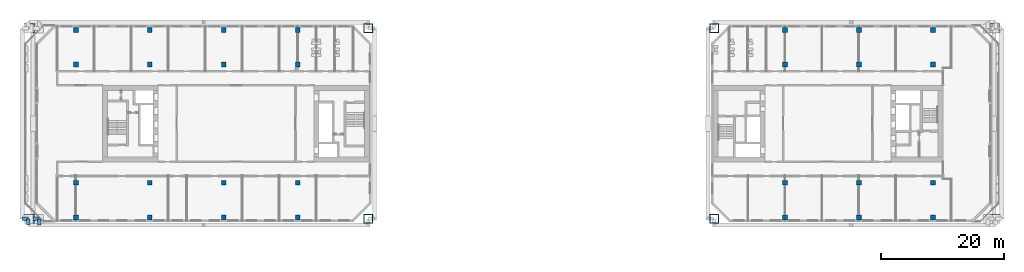
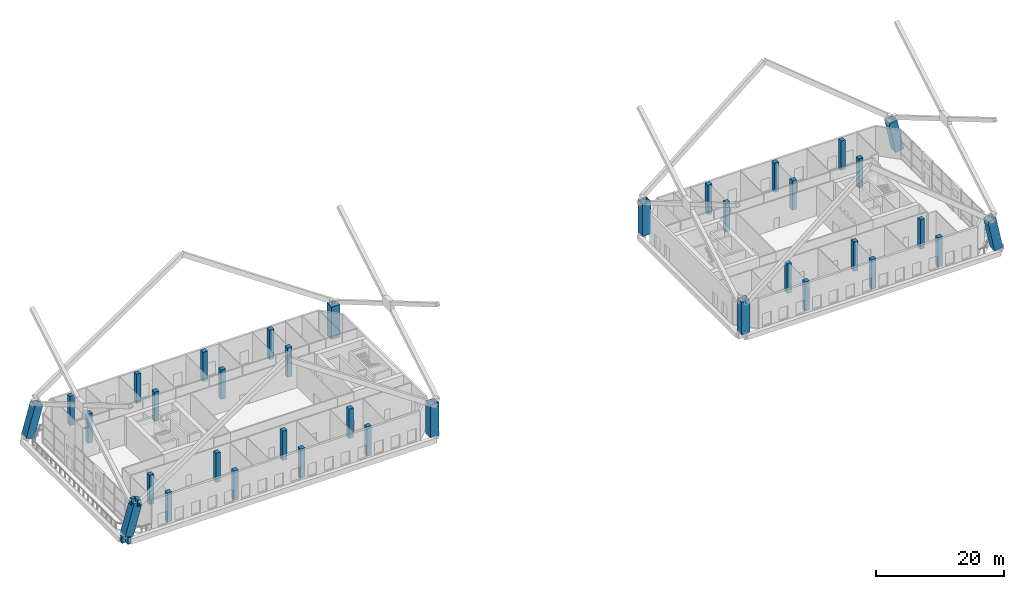
# One storey, part 1 of 20: 36 columns, 4 beams.
"""IFC4 building model written with IfcOpenShell, lengths in metres."""

from ifc_helpers import new_model, si_unit, direction, frame, origin, origin_2d, place, context, subcontext, project, spatial, rectangle, hollow_rectangle, extrude, material, material_profile, profile_set, type_object, element, save


model = new_model("IFC4")

# Units and contexts
model_context = context("Model", 3, precision=1e-05, world=origin(), true_north=direction((0.0, 1.0)))
body_context = subcontext(model_context, "Body", "Model", "MODEL_VIEW")
ifc_project = project(units=[si_unit("LENGTHUNIT", "METRE"), si_unit("AREAUNIT", "SQUARE_METRE"), si_unit("VOLUMEUNIT", "CUBIC_METRE"), si_unit("PLANEANGLEUNIT", "RADIAN"), si_unit("MASSUNIT", "GRAM", prefix="KILO")], contexts=[model_context])

# Site, building, storey
site_placement = place(None, origin())
site = spatial("IfcSite", under=ifc_project, at=site_placement, CompositionType="ELEMENT")
building_placement = place(site_placement, origin())
building = spatial("IfcBuilding", under=site, at=building_placement, Name="Tuart Gate Housing", CompositionType="ELEMENT")
storey_placement = place(building_placement, frame((0.0, 0.0, 38.10009765625)))
storey = spatial("IfcBuildingStorey", under=building, at=storey_placement, Name="L10", CompositionType="ELEMENT", Elevation=38.10009765625)

# Columns
ifc_material_1 = material(Name="Steel Grade 350", Category="steel")
ifc_material_profile_1 = material_profile(ifc_material_1, hollow_rectangle(XDim=1.5, YDim=1.5, WallThickness=0.080078125, at=origin_2d()), Name="BOX 1500x1500x80")
ifc_profile_set_1 = profile_set([ifc_material_profile_1], Name="Steel Grade 350")
column_type_1 = type_object("IfcColumnType", Name="Mega column BOX 1500x1500x80 (6.0-6.2 m)", PredefinedType="COLUMN", material=ifc_profile_set_1)
column_1_placement = place(storey_placement, frame((20.357421875, 54.550048828125, 0.20361328125), z_axis=(0.271649955728, 0.0, 0.962396125072), x_axis=(0.0, 1.0, 0.0)))
element("IfcColumn", 1, at=column_1_placement, inside=storey, type_object=column_type_1, Name="Mega column A south-west L10", PredefinedType="COLUMN", context=body_context, shape_type="SweptSolid", body=[
    extrude(hollow_rectangle(XDim=1.5, YDim=1.5, WallThickness=0.080078125, at=origin_2d()), origin(), (0.0, 0.0, 1.0), 6.018798828125),
])
for number, where, z_axis, x_axis, name in (
    (2, (75.449951171875, 54.550048828125, 0.0), (0.0, 0.0, 1.0), (1.0, 0.0, 0.0), "Mega column A south-east L10"),
    (3, (75.449951171875, 85.449951171875, 0.0), (0.0, 0.0, 1.0), (1.0, 0.0, 0.0), "Mega column A north-east L10"),
):
    element("IfcColumn", number, at=place(storey_placement, frame(where, z_axis=z_axis, x_axis=x_axis)), inside=storey, type_object=column_type_1, Name=name, PredefinedType="COLUMN", context=body_context, shape_type="SweptSolid", body=[
        extrude(hollow_rectangle(XDim=1.5, YDim=1.5, WallThickness=0.080078125, at=origin_2d()), origin(), (0.0, 0.0, 1.0), 6.199951171875),
    ])
column_2_placement = place(storey_placement, frame((20.357421875, 85.449951171875, 0.20361328125), z_axis=(0.271649955728, 0.0, 0.962396125072), x_axis=(0.0, 1.0, 0.0)))
element("IfcColumn", 4, at=column_2_placement, inside=storey, type_object=column_type_1, Name="Mega column A north-west L10", PredefinedType="COLUMN", context=body_context, shape_type="SweptSolid", body=[
    extrude(hollow_rectangle(XDim=1.5, YDim=1.5, WallThickness=0.080078125, at=origin_2d()), origin(), (0.0, 0.0, 1.0), 6.018798828125),
])
column_3_placement = place(storey_placement, frame((131.550048828125, 54.550048828125, 0.0), z_axis=(0.0, 0.0, 1.0), x_axis=(1.0, 0.0, 0.0)))
element("IfcColumn", 5, at=column_3_placement, inside=storey, type_object=column_type_1, Name="Mega column B south-west L10", PredefinedType="COLUMN", context=body_context, shape_type="SweptSolid", body=[
    extrude(hollow_rectangle(XDim=1.5, YDim=1.5, WallThickness=0.080078125, at=origin_2d()), origin(), (0.0, 0.0, 1.0), 6.199951171875),
])
for number, where, z_axis, x_axis, name in (
    (6, (177.170166015625, 54.550048828125, 0.148193359375), (-0.197628323752, 0.0, 0.980277024953), (0.0, -1.0, 0.0), "Mega column B south-east L10"),
    (7, (177.170166015625, 85.449951171875, 0.148193359375), (-0.197628323752, 0.0, 0.980277024953), (0.0, -1.0, 0.0), "Mega column B north-east L10"),
):
    element("IfcColumn", number, at=place(storey_placement, frame(where, z_axis=z_axis, x_axis=x_axis)), inside=storey, type_object=column_type_1, Name=name, PredefinedType="COLUMN", context=body_context, shape_type="SweptSolid", body=[
        extrude(hollow_rectangle(XDim=1.5, YDim=1.5, WallThickness=0.080078125, at=origin_2d()), origin(), (0.0, 0.0, 1.0), 6.0224609375),
    ])
column_4_placement = place(storey_placement, frame((131.550048828125, 85.449951171875, 0.0), z_axis=(0.0, 0.0, 1.0), x_axis=(1.0, 0.0, 0.0)))
element("IfcColumn", 8, at=column_4_placement, inside=storey, type_object=column_type_1, Name="Mega column B north-west L10", PredefinedType="COLUMN", context=body_context, shape_type="SweptSolid", body=[
    extrude(hollow_rectangle(XDim=1.5, YDim=1.5, WallThickness=0.080078125, at=origin_2d()), origin(), (0.0, 0.0, 1.0), 6.199951171875),
])
ifc_material_2 = material(Name="Concrete C50", Category="concrete")
ifc_material_profile_2 = material_profile(ifc_material_2, rectangle(XDim=0.800048828125, YDim=0.800048828125, at=origin_2d()), Name="RC column 800 x 800 (5.6-6.7 m)")
ifc_profile_set_2 = profile_set([ifc_material_profile_2], Name="Concrete C50")
column_type_2 = type_object("IfcColumnType", Name="RC column 800 x 800 (5.6-6.7 m)", PredefinedType="COLUMN", material=ifc_profile_set_2)
for number, where, z_axis, x_axis, name in (
    (9, (28.0, 54.800048828125, 0.0), (0.0, 0.0, 1.0), (1.0, 0.0, 0.0), "RC column 1 L10"),
    (10, (28.0, 60.39990234375, 0.0), (0.0, 0.0, 1.0), (1.0, 0.0, 0.0), "RC column 4 L10"),
    (11, (28.0, 79.60009765625, 0.0), (0.0, 0.0, 1.0), (1.0, 0.0, 0.0), "RC column 5 L10"),
    (12, (28.0, 85.199951171875, 0.0), (0.0, 0.0, 1.0), (1.0, 0.0, 0.0), "RC column 8 L10"),
    (13, (40.0, 54.800048828125, 0.0), (0.0, 0.0, 1.0), (1.0, 0.0, 0.0), "RC column 9 L10"),
    (14, (40.0, 60.39990234375, 0.0), (0.0, 0.0, 1.0), (1.0, 0.0, 0.0), "RC column 12 L10"),
    (15, (40.0, 79.60009765625, 0.0), (0.0, 0.0, 1.0), (1.0, 0.0, 0.0), "RC column 13 L10"),
    (16, (40.0, 85.199951171875, 0.0), (0.0, 0.0, 1.0), (1.0, 0.0, 0.0), "RC column 16 L10"),
    (17, (52.0, 54.800048828125, 0.0), (0.0, 0.0, 1.0), (1.0, 0.0, 0.0), "RC column 17 L10"),
    (18, (52.0, 60.39990234375, 0.0), (0.0, 0.0, 1.0), (1.0, 0.0, 0.0), "RC column 18 L10"),
    (19, (52.0, 79.60009765625, 0.0), (0.0, 0.0, 1.0), (1.0, 0.0, 0.0), "RC column 19 L10"),
    (20, (52.0, 85.199951171875, 0.0), (0.0, 0.0, 1.0), (1.0, 0.0, 0.0), "RC column 20 L10"),
    (21, (64.0, 54.800048828125, 0.0), (0.0, 0.0, 1.0), (1.0, 0.0, 0.0), "RC column 21 L10"),
    (22, (64.0, 60.39990234375, 0.0), (0.0, 0.0, 1.0), (1.0, 0.0, 0.0), "RC column 22 L10"),
    (23, (64.0, 79.60009765625, 0.0), (0.0, 0.0, 1.0), (1.0, 0.0, 0.0), "RC column 23 L10"),
    (24, (64.0, 85.199951171875, 0.0), (0.0, 0.0, 1.0), (1.0, 0.0, 0.0), "RC column 24 L10"),
    (25, (143.0, 54.800048828125, 0.0), (0.0, 0.0, 1.0), (1.0, 0.0, 0.0), "RC column 25 L10"),
    (26, (143.0, 60.39990234375, 0.0), (0.0, 0.0, 1.0), (1.0, 0.0, 0.0), "RC column 26 L10"),
    (27, (143.0, 79.60009765625, 0.0), (0.0, 0.0, 1.0), (1.0, 0.0, 0.0), "RC column 27 L10"),
    (28, (143.0, 85.199951171875, 0.0), (0.0, 0.0, 1.0), (1.0, 0.0, 0.0), "RC column 28 L10"),
    (29, (155.0, 54.800048828125, 0.0), (0.0, 0.0, 1.0), (1.0, 0.0, 0.0), "RC column 29 L10"),
    (30, (155.0, 60.39990234375, 0.0), (0.0, 0.0, 1.0), (1.0, 0.0, 0.0), "RC column 30 L10"),
    (31, (155.0, 79.60009765625, 0.0), (0.0, 0.0, 1.0), (1.0, 0.0, 0.0), "RC column 31 L10"),
    (32, (155.0, 85.199951171875, 0.0), (0.0, 0.0, 1.0), (1.0, 0.0, 0.0), "RC column 32 L10"),
    (33, (167.0, 54.800048828125, 0.0), (0.0, 0.0, 1.0), (1.0, 0.0, 0.0), "RC column 33 L10"),
    (34, (167.0, 60.39990234375, 0.0), (0.0, 0.0, 1.0), (1.0, 0.0, 0.0), "RC column 36 L10"),
    (35, (167.0, 79.60009765625, 0.0), (0.0, 0.0, 1.0), (1.0, 0.0, 0.0), "RC column 37 L10"),
    (36, (167.0, 85.199951171875, 0.0), (0.0, 0.0, 1.0), (1.0, 0.0, 0.0), "RC column 40 L10"),
):
    element("IfcColumn", number, at=place(storey_placement, frame(where, z_axis=z_axis, x_axis=x_axis)), inside=storey, type_object=column_type_2, Name=name, PredefinedType="COLUMN", context=body_context, shape_type="SweptSolid", body=[
        extrude(rectangle(XDim=0.800048828125, YDim=0.800048828125, at=origin_2d()), origin(), (0.0, 0.0, 1.0), 5.599853515625),
    ])

# Beams
ifc_material_3 = material(Name="Steel Grade 350", Category="steel")
ifc_material_profile_3 = material_profile(ifc_material_3, hollow_rectangle(XDim=0.60009765625, YDim=1.199951171875, WallThickness=0.0400390625, at=origin_2d()), Name="BOX 1200x600x40")
ifc_profile_set_3 = profile_set([ifc_material_profile_3], Name="Steel Grade 350")
beam_type = type_object("IfcBeamType", Name="Brace shoe BOX 1200x600x40", PredefinedType="BEAM", material=ifc_profile_set_3)
for number, where, z_axis, x_axis, name in (
    (37, (20.300048828125, 54.550048828125, -0.400146484375), (0.0, -1.0, 0.0), (1.0, 0.0, 0.0), "Mega tie beam A node 1 south shoe 0 L10"),
    (38, (20.300048828125, 54.550048828125, -0.400146484375), (-1.0, 0.0, 0.0), (0.0, -1.0, 0.0), "Mega tie beam A node 1 west shoe 0 L10"),
    (39, (22.050048828125, 54.550048828125, 6.199951171875), (0.0, -1.0, 0.0), (1.0, 0.0, 0.0), "Mega brace shoe A zone 2 south chevron 1"),
    (40, (22.050048828125, 54.550048828125, 6.199951171875), (-1.0, 0.0, 0.0), (0.0, -1.0, 0.0), "Mega brace shoe A zone 2 west cross 1"),
):
    element("IfcBeam", number, at=place(storey_placement, frame(where, z_axis=z_axis, x_axis=x_axis)), inside=storey, type_object=beam_type, Name=name, PredefinedType="BEAM", context=body_context, shape_type="SweptSolid", body=[
        extrude(hollow_rectangle(XDim=0.60009765625, YDim=1.199951171875, WallThickness=0.0400390625, at=origin_2d()), origin(), (0.0, 0.0, 1.0), 1.0),
    ])

save(model, "model.ifc")
